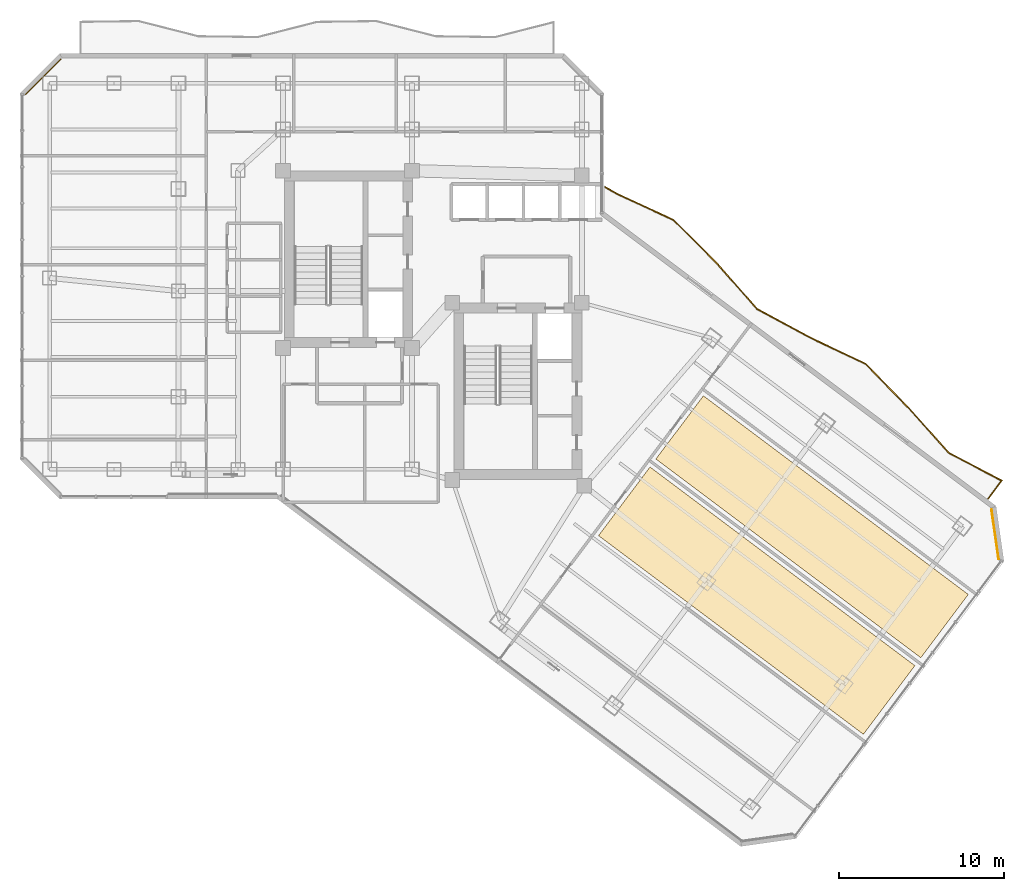
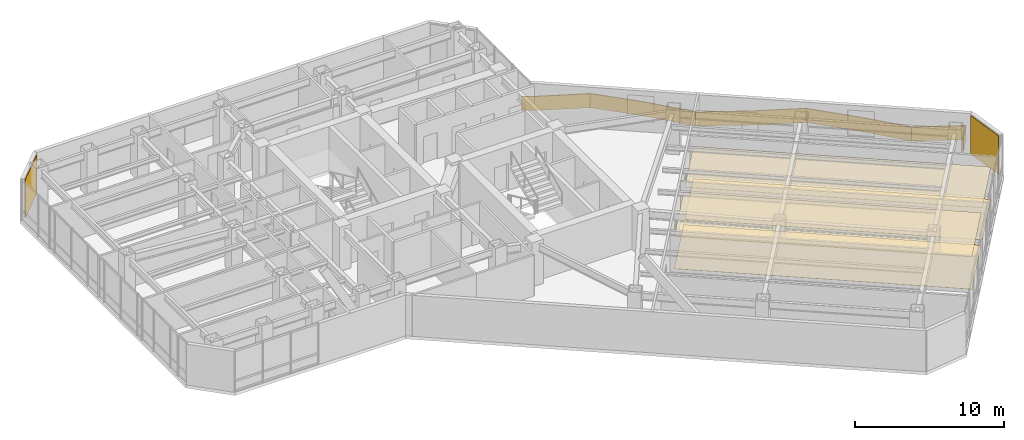
# One storey, part 29 of 31: 6 coverings, 1 railing.
"""IFC4 building model written with IfcOpenShell, lengths in metres."""

from ifc_helpers import new_model, si_unit, direction, frame, origin, origin_2d, place, context, subcontext, project, spatial, polyline, rectangle, outline, extrude, material, layer, layer_set, type_object, element, save


model = new_model("IFC4")

# Units and contexts
model_context = context("Model", 3, precision=1e-05, world=origin(), true_north=direction((0.0, 1.0)))
body_context = subcontext(model_context, "Body", "Model", "MODEL_VIEW")
ifc_project = project(units=[si_unit("LENGTHUNIT", "METRE"), si_unit("AREAUNIT", "SQUARE_METRE"), si_unit("VOLUMEUNIT", "CUBIC_METRE"), si_unit("PLANEANGLEUNIT", "RADIAN"), si_unit("MASSUNIT", "GRAM", prefix="KILO")], contexts=[model_context])

# Site, building, storey
site_placement = place(None, origin())
site = spatial("IfcSite", under=ifc_project, at=site_placement, CompositionType="ELEMENT")
building_placement = place(site_placement, origin())
building = spatial("IfcBuilding", under=site, at=building_placement, Name="Hatsunagi Terrace Concourse", CompositionType="ELEMENT")
storey_placement = place(building_placement, frame((0.0, 0.0, 122.85009765625)))
storey = spatial("IfcBuildingStorey", under=building, at=storey_placement, Name="L32", CompositionType="ELEMENT", Elevation=122.85009765625)

# Covering
ifc_material_1 = material(Name="Acoustic mineral board", Category="gypsum")
ifc_layer_1 = layer(ifc_material_1, 0.02001953125)
ifc_layer_set_1 = layer_set([ifc_layer_1], Name="AcousticMineralCeiling_20")
covering_type_1 = type_object("IfcCoveringType", Name="AcousticMineralCeiling_20", PredefinedType="CEILING", material=ifc_layer_set_1)
covering_1_placement = place(storey_placement, frame((0.0, 0.0, 2.6298828125)))
element("IfcCovering", 1, at=covering_1_placement, inside=storey, type_object=covering_type_1, Name="Suspended Ceiling L32-2", PredefinedType="CEILING", context=body_context, shape_type="SweptSolid", body=[
    extrude(outline(polyline([(67.075927734375, 17.617919921875), (51.02001953125, 29.659912109375), (48.139892578125, 25.820068359375), (64.196044921875, 13.778076171875), (67.075927734375, 17.617919921875)])), origin(), (0.0, 0.0, 1.0), 0.02001953125),
])

# Railing
ifc_material_2 = material(Name="Laminated Glass and Stainless Steel Guard", Category="steel")
ifc_layer_2 = layer(ifc_material_2, 0.070068359375)
ifc_layer_set_2 = layer_set([ifc_layer_2], Name="BalconyGlassGuardRail_1150")
railing_type = type_object("IfcRailingType", Name="BalconyGlassGuardRail_1150", PredefinedType="BALUSTRADE", material=ifc_layer_set_2)
railing_placement = place(storey_placement, origin())
element("IfcRailing", 2, at=railing_placement, inside=storey, type_object=railing_type, Name="Engawa Balcony Guard GRD-01 L32-BSE-1", PredefinedType="BALUSTRADE", context=body_context, shape_type="SweptSolid", body=[
    extrude(outline(polyline([(45.06298828125, 42.344482421875), (45.029052734375, 42.283447265625), (45.835205078125, 41.833740234375), (49.19677734375, 40.27880859375), (51.779541015625, 37.697021484375), (54.23779296875, 34.899169921875), (57.484130859375, 33.143798828125), (60.826416015625, 31.56494140625), (63.38232421875, 28.947021484375), (65.863037109375, 26.175048828125), (69.04541015625, 24.501220703125), (68.241943359375, 23.430908203125), (68.298095703125, 23.388916015625), (69.150634765625, 24.52490234375), (65.906982421875, 26.23095703125), (63.43359375, 28.994873046875), (60.86767578125, 31.623046875), (57.515869140625, 33.206298828125), (54.2822265625, 34.954833984375), (51.83056640625, 37.7451171875), (49.2373046875, 40.337158203125), (45.866943359375, 41.896240234375), (45.06298828125, 42.344482421875)])), origin(), (0.0, 0.0, 1.0), 1.14990234375),
])

# Coverings
ifc_material_3 = material(Name="Hardwood timber", Category="wood")
ifc_layer_3 = layer(ifc_material_3, 0.014892578125)
ifc_layer_set_3 = layer_set([ifc_layer_3], Name="HardwoodTimberFlooring_15")
covering_type_2 = type_object("IfcCoveringType", Name="HardwoodTimberFlooring_15", PredefinedType="FLOORING", material=ifc_layer_set_3)
covering_2_placement = place(storey_placement, origin())
element("IfcCovering", 3, at=covering_2_placement, inside=storey, type_object=covering_type_2, Name="Finished Flooring L32-1", PredefinedType="FLOORING", context=body_context, shape_type="SweptSolid", body=[
    extrude(outline(polyline([(63.8359375, 13.298095703125), (47.780029296875, 25.340087890625), (44.659912109375, 21.179931640625), (60.716064453125, 9.137939453125), (63.8359375, 13.298095703125)])), origin(), (0.0, 0.0, 1.0), 0.014892578125),
])
covering_3_placement = place(storey_placement, origin())
element("IfcCovering", 4, at=covering_3_placement, inside=storey, type_object=covering_type_2, Name="Finished Flooring L32-2", PredefinedType="FLOORING", context=body_context, shape_type="SweptSolid", body=[
    extrude(outline(polyline([(67.075927734375, 17.617919921875), (51.02001953125, 29.659912109375), (48.139892578125, 25.820068359375), (64.196044921875, 13.778076171875), (67.075927734375, 17.617919921875)])), origin(), (0.0, 0.0, 1.0), 0.014892578125),
])
ifc_material_4 = material(Name="Unglazed Warm Terracotta Rainscreen Tile", Category="masonry")
ifc_layer_4 = layer(ifc_material_4, 0.044921875)
ifc_layer_set_4 = layer_set([ifc_layer_4], Name="TerracottaRainscreenCladding_45")
covering_type_3 = type_object("IfcCoveringType", Name="TerracottaRainscreenCladding_45", PredefinedType="CLADDING", material=ifc_layer_set_4)
for number, where, z_axis, x_axis, name in (
    (5, (68.700927734375, 21.258056640625, 0.099853515625), (0.0, 0.0, 1.0), (0.141250262458, -0.989973920543, 0.0), "Terracotta Rainscreen Cladding L32-02"),
    (6, (11.013916015625, 48.986083984375, 0.099853515625), (0.0, 0.0, 1.0), (0.707106781187, 0.707106781187, 0.0), "Terracotta Rainscreen Cladding L32-10"),
):
    element("IfcCovering", number, at=place(storey_placement, frame(where, z_axis=z_axis, x_axis=x_axis)), inside=storey, type_object=covering_type_3, Name=name, PredefinedType="CLADDING", context=body_context, shape_type="SweptSolid", body=[
        extrude(rectangle(XDim=3.0380859375, YDim=0.044921875, at=origin_2d()), origin(), (0.0, 0.0, 1.0), 3.14990234375),
    ])
ifc_material_5 = material(Name="Hardwood timber", Category="wood")
ifc_layer_5 = layer(ifc_material_5, 0.034912109375)
ifc_layer_set_5 = layer_set([ifc_layer_5], Name="TimberBaffleCeiling_35")
covering_type_4 = type_object("IfcCoveringType", Name="TimberBaffleCeiling_35", PredefinedType="CEILING", material=ifc_layer_set_5)
covering_4_placement = place(storey_placement, frame((0.0, 0.0, 2.6298828125)))
element("IfcCovering", 7, at=covering_4_placement, inside=storey, type_object=covering_type_4, Name="Suspended Ceiling L32-1", PredefinedType="CEILING", context=body_context, shape_type="SweptSolid", body=[
    extrude(outline(polyline([(63.8359375, 13.298095703125), (47.780029296875, 25.340087890625), (44.659912109375, 21.179931640625), (60.716064453125, 9.137939453125), (63.8359375, 13.298095703125)])), origin(), (0.0, 0.0, 1.0), 0.034912109375),
])

save(model, "model.ifc")
